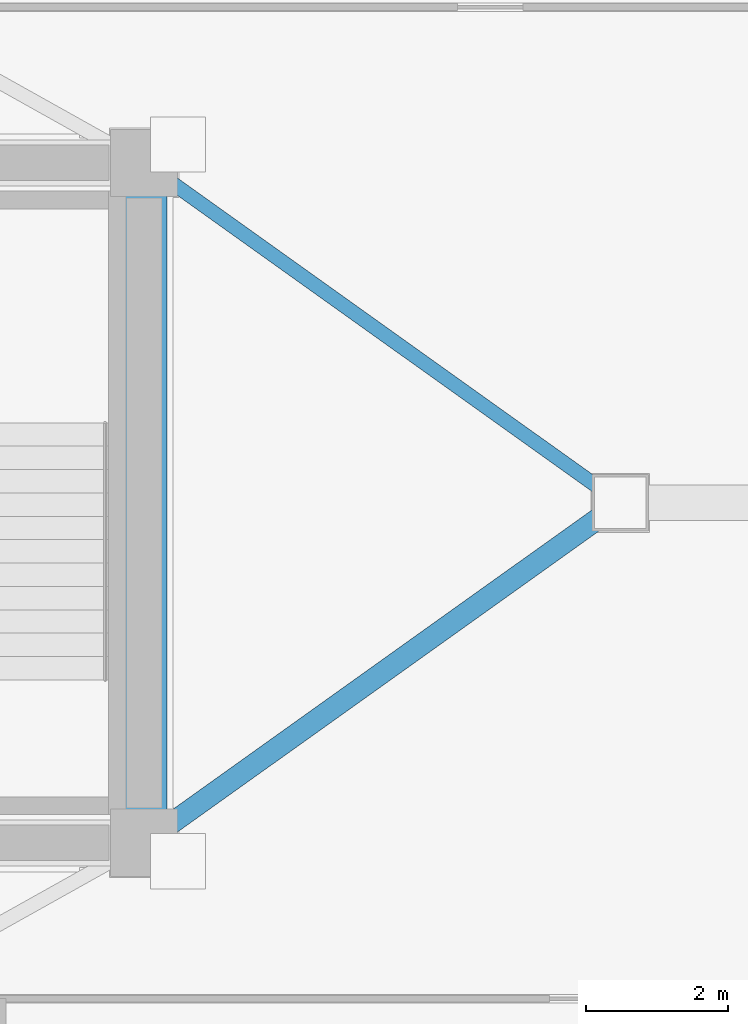
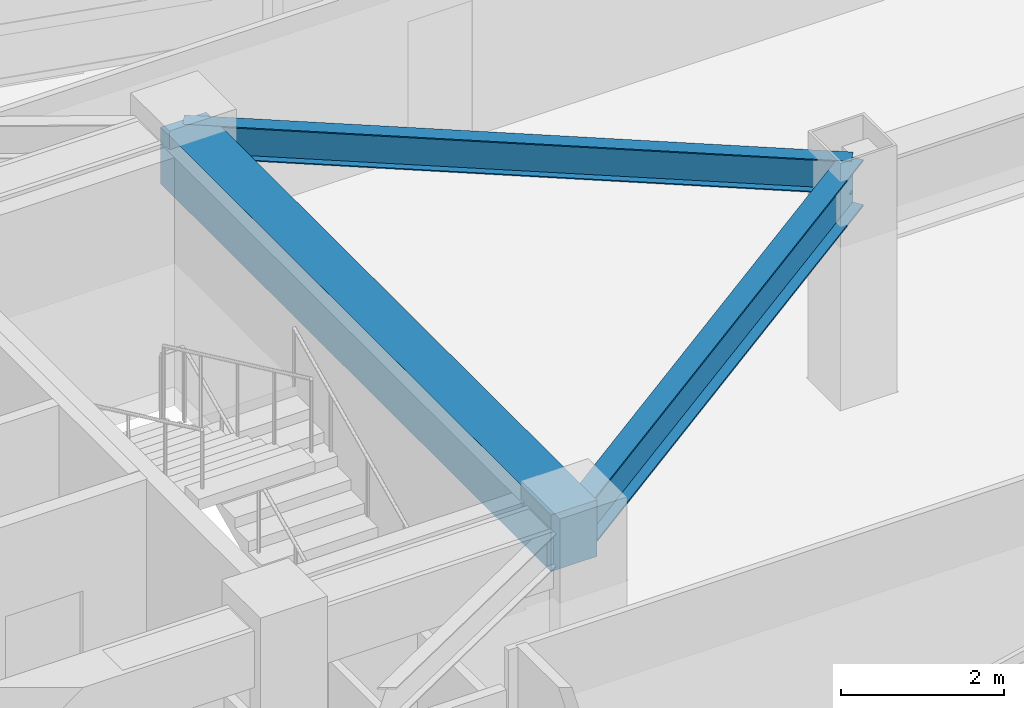
# One storey, part 7 of 17: 3 beams.
"""IFC4 building model written with IfcOpenShell, lengths in metres."""

from ifc_helpers import new_model, si_unit, direction, frame, origin, origin_2d, place, context, subcontext, project, spatial, rectangle, i_section, extrude, material, material_profile, profile_set, type_object, element, save


model = new_model("IFC4")

# Units and contexts
model_context = context("Model", 3, precision=1e-05, world=origin(), true_north=direction((0.0, 1.0)))
body_context = subcontext(model_context, "Body", "Model", "MODEL_VIEW")
ifc_project = project(units=[si_unit("LENGTHUNIT", "METRE"), si_unit("AREAUNIT", "SQUARE_METRE"), si_unit("VOLUMEUNIT", "CUBIC_METRE"), si_unit("PLANEANGLEUNIT", "RADIAN"), si_unit("MASSUNIT", "GRAM", prefix="KILO")], contexts=[model_context])

# Site, building, storey
site_placement = place(None, origin())
site = spatial("IfcSite", under=ifc_project, at=site_placement, CompositionType="ELEMENT")
building_placement = place(site_placement, origin())
building = spatial("IfcBuilding", under=site, at=building_placement, Name="Menara Vayukalpa", CompositionType="ELEMENT")
storey_placement = place(building_placement, frame((0.0, 0.0, 234.419921875)))
storey = spatial("IfcBuildingStorey", under=building, at=storey_placement, Name="L59", CompositionType="ELEMENT", Elevation=234.419921875)

# Beams
ifc_material_1 = material(Name="Concrete C60/75", Category="concrete")
ifc_material_profile_1 = material_profile(ifc_material_1, rectangle(XDim=0.64990234375, YDim=0.85009765625, at=origin_2d()), Name="RC 650x850")
ifc_profile_set_1 = profile_set([ifc_material_profile_1], Name="Concrete C60/75")
beam_type_1 = type_object("IfcBeamType", Name="BM-CB1", PredefinedType="BEAM", material=ifc_profile_set_1)
beam_1_placement = place(storey_placement, frame((33.39990234375, 17.199951171875, 3.01513671875), z_axis=(0.0, 1.0, 0.0), x_axis=(-1.0, 0.0, 0.0)))
element("IfcBeam", 1, at=beam_1_placement, inside=storey, type_object=beam_type_1, Name="L59 Core Tie Beam CBR8", PredefinedType="BEAM", context=body_context, shape_type="SweptSolid", body=[
    extrude(rectangle(XDim=0.64990234375, YDim=0.85009765625, at=origin_2d()), origin(), (0.0, 0.0, 1.0), 9.60009765625),
])
ifc_material_2 = material(Name="Steel S355", Category="steel")
ifc_material_profile_2 = material_profile(ifc_material_2, i_section(OverallWidth=0.300048828125, OverallDepth=0.699951171875, WebThickness=0.012939453125, FlangeThickness=0.02392578125, at=origin_2d()), Name="WF 700x300x13x24")
ifc_profile_set_2 = profile_set([ifc_material_profile_2], Name="Steel S355")
beam_type_2 = type_object("IfcBeamType", Name="BM-PG5", PredefinedType="BEAM", material=ifc_profile_set_2)
beam_2_placement = place(storey_placement, frame((33.603515625, 17.34521484375, 3.090087890625), z_axis=(0.813801429135, 0.581143040859, 0.0), x_axis=(-0.581143040859, 0.813801429135, 0.0)))
element("IfcBeam", 2, at=beam_2_placement, inside=storey, type_object=beam_type_2, Name="L59 Primary Radial Girder RG01", PredefinedType="BEAM", context=body_context, shape_type="SweptSolid", body=[
    extrude(i_section(OverallWidth=0.300048828125, OverallDepth=0.699951171875, WebThickness=0.012939453125, FlangeThickness=0.02392578125, at=origin_2d()), origin(), (0.0, 0.0, 1.0), 8.009765625),
])
ifc_material_3 = material(Name="Steel S355", Category="steel")
ifc_material_profile_3 = material_profile(ifc_material_3, i_section(OverallWidth=0.199951171875, OverallDepth=0.5, WebThickness=0.010009765625, FlangeThickness=0.01611328125, at=origin_2d()), Name="WF 500x200x10x16")
ifc_profile_set_3 = profile_set([ifc_material_profile_3], Name="Steel S355")
beam_type_3 = type_object("IfcBeamType", Name="BM-SP3", PredefinedType="SPANDREL", material=ifc_profile_set_3)
beam_3_placement = place(storey_placement, frame((40.121826171875, 22.0, 3.190185546875), z_axis=(-0.813809355401, 0.581131941181, 0.0), x_axis=(-0.581131941181, -0.813809355401, 0.0)))
element("IfcBeam", 3, at=beam_3_placement, inside=storey, type_object=beam_type_3, Name="L59 Perimeter Spandrel Beam SP01", PredefinedType="SPANDREL", context=body_context, shape_type="SweptSolid", body=[
    extrude(i_section(OverallWidth=0.199951171875, OverallDepth=0.5, WebThickness=0.010009765625, FlangeThickness=0.01611328125, at=origin_2d()), origin(), (0.0, 0.0, 1.0), 8.259765625),
])

save(model, "model.ifc")
